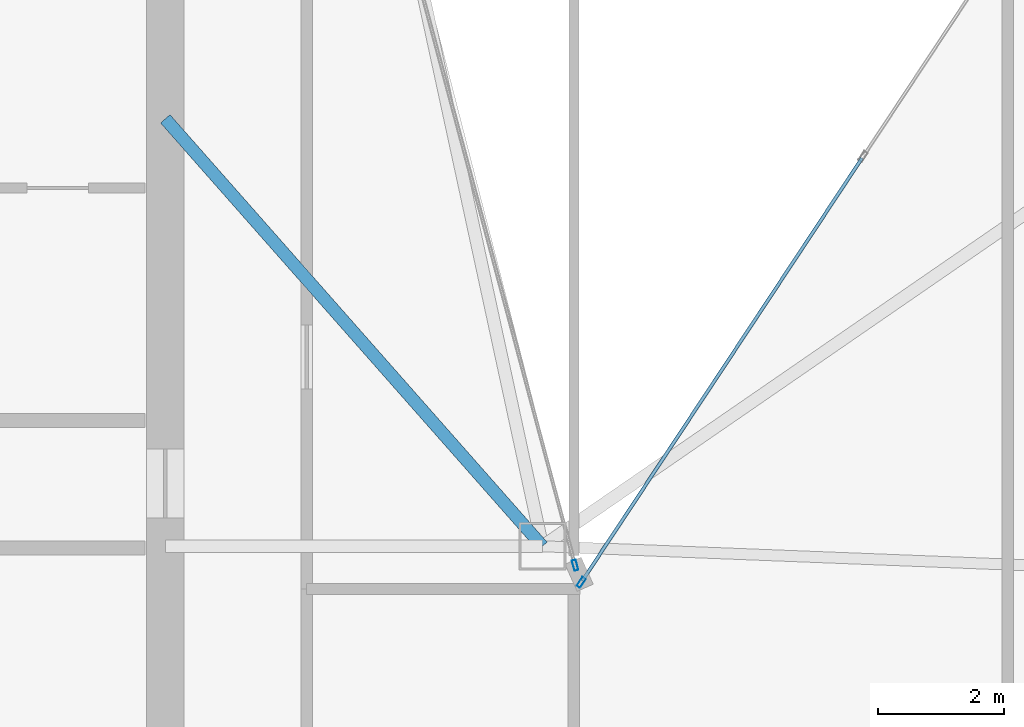
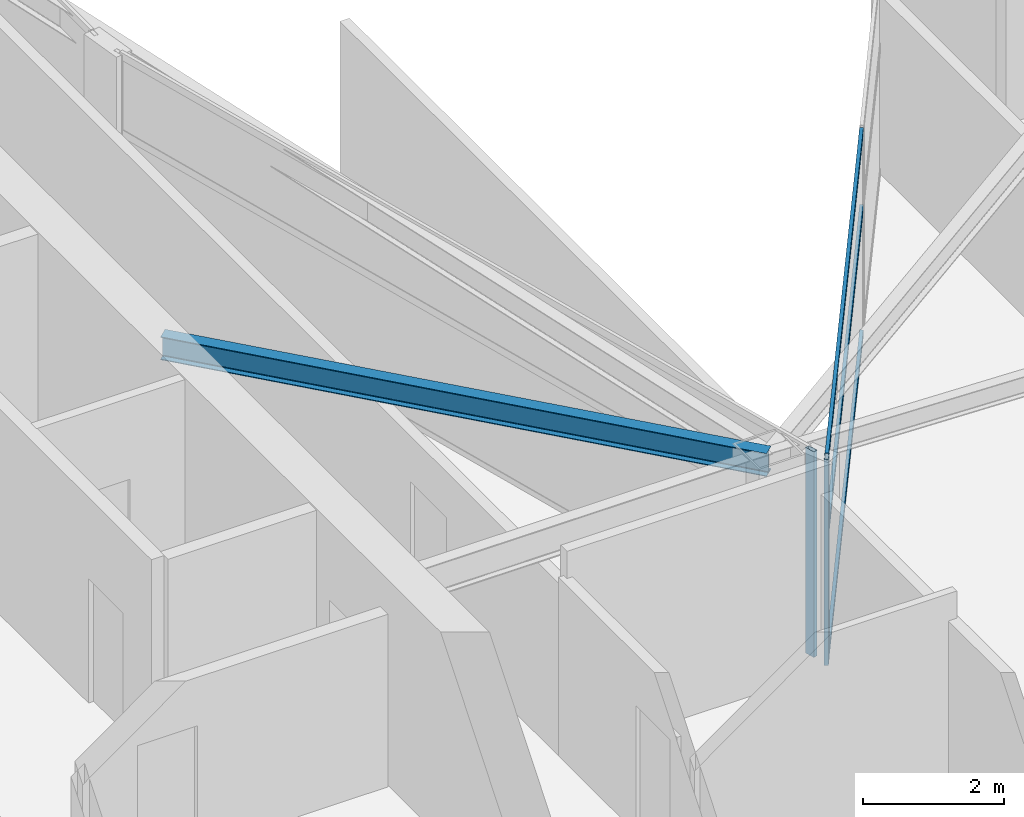
# One storey, part 11 of 28: 5 members, 1 beam, 2 elements without a shape of their own.
"""IFC4 building model written with IfcOpenShell, lengths in metres."""

from ifc_helpers import new_model, si_unit, direction, frame, origin, origin_2d, place, context, subcontext, project, spatial, hollow_rectangle, i_section, extrude, material, layer, layer_set, material_profile, profile_set, type_object, element, aggregate, save


model = new_model("IFC4")

# Units and contexts
model_context = context("Model", 3, precision=1e-05, world=origin(), true_north=direction((0.0, 1.0)))
body_context = subcontext(model_context, "Body", "Model", "MODEL_VIEW")
ifc_project = project(units=[si_unit("LENGTHUNIT", "METRE"), si_unit("AREAUNIT", "SQUARE_METRE"), si_unit("VOLUMEUNIT", "CUBIC_METRE"), si_unit("PLANEANGLEUNIT", "RADIAN"), si_unit("MASSUNIT", "GRAM", prefix="KILO")], contexts=[model_context])

# Site, building, storey
site_placement = place(None, origin())
site = spatial("IfcSite", under=ifc_project, at=site_placement, CompositionType="ELEMENT")
building_placement = place(site_placement, origin())
building = spatial("IfcBuilding", under=site, at=building_placement, Name="Calvorn Quay Hotel", CompositionType="ELEMENT")
storey_placement = place(building_placement, frame((0.0, 0.0, 267.300048828125)))
storey = spatial("IfcBuildingStorey", under=building, at=storey_placement, Name="L66", CompositionType="ELEMENT", Elevation=267.300048828125)

# Beam
ifc_material_1 = material(Name="Steel Q355B", Category="steel")
ifc_material_profile_1 = material_profile(ifc_material_1, i_section(OverallWidth=0.199951171875, OverallDepth=0.39990234375, WebThickness=0.008056640625, FlangeThickness=0.012939453125, FilletRadius=0.01611328125, at=origin_2d()), Name="HN400x200x8x13")
ifc_profile_set_1 = profile_set([ifc_material_profile_1], Name="Steel Q355B")
beam_type = type_object("IfcBeamType", Name="BM-JOIST-TYP", PredefinedType="JOIST", material=ifc_profile_set_1)
beam_placement = place(storey_placement, frame((15.0, 31.800048828125, 3.33984375), z_axis=(0.661618965899, -0.749840212287, 0.0), x_axis=(0.749840212287, 0.661618965899, 0.0)))
element("IfcBeam", 1, at=beam_placement, inside=storey, type_object=beam_type, Name="Beam BJ-L66-C1", PredefinedType="JOIST", context=body_context, shape_type="SweptSolid", body=[
    extrude(i_section(OverallWidth=0.199951171875, OverallDepth=0.39990234375, WebThickness=0.008056640625, FlangeThickness=0.012939453125, FilletRadius=0.01611328125, at=origin_2d()), origin(), (0.0, 0.0, 1.0), 9.068603515625),
])

# Curtain wall, member
ifc_material_2 = material(Name="Champagne Bronze Anodised Aluminium and Low-E Glass", Category="aluminium")
ifc_layer = layer(ifc_material_2, 0.219970703125)
ifc_layer_set = layer_set([ifc_layer], Name="CW-SYS-Z4")
curtain_wall_type = type_object("IfcCurtainWallType", Name="CW-SYS-Z4", PredefinedType="NOTDEFINED", material=ifc_layer_set)
curtain_wall_1_placement = place(storey_placement, origin())
curtain_wall_1 = element("IfcCurtainWall", 2, at=curtain_wall_1_placement, inside=storey, type_object=curtain_wall_type, Name="Inner Court Curtain Wall L66-NE1", PredefinedType="NOTDEFINED")
ifc_material_3 = material(Name="Champagne Bronze Anodised Aluminium 6063-T6", Category="aluminium")
ifc_material_profile_2 = material_profile(ifc_material_3, hollow_rectangle(XDim=0.06494140625, YDim=0.169921875, WallThickness=0.00341796875, at=origin_2d()), Name="ALU-M170x65x3.5")
ifc_profile_set_2 = profile_set([ifc_material_profile_2], Name="Champagne Bronze Anodised Aluminium 6063-T6")
member_type_1 = type_object("IfcMemberType", Name="CW-SYS-Z4-MUL", PredefinedType="MULLION", material=ifc_profile_set_2)
member_1_placement = place(storey_placement, frame((21.616455078125, 24.425048828125, 0.0), z_axis=(0.0, 0.0, 1.0), x_axis=(0.833932205724, -0.551866900852, 0.0)))
member_1 = element("IfcMember", 3, at=member_1_placement, type_object=member_type_1, Name="CW-L66-NE1 mullion 3", PredefinedType="MULLION", context=body_context, shape_type="SweptSolid", body=[
    extrude(hollow_rectangle(XDim=0.06494140625, YDim=0.169921875, WallThickness=0.00341796875, at=origin_2d()), origin(), (0.0, 0.0, 1.0), 3.56005859375),
])

curtain_wall_2_placement = place(storey_placement, origin())
curtain_wall_2 = element("IfcCurtainWall", 4, at=curtain_wall_2_placement, inside=storey, type_object=curtain_wall_type, Name="Inner Court Curtain Wall L66-IC1", PredefinedType="NOTDEFINED")
member_2_placement = place(storey_placement, frame((21.520263671875, 24.698974609375, 0.0), z_axis=(0.0, 0.0, 1.0), x_axis=(-0.96593652056, -0.25877913024, 0.0)))
member_2 = element("IfcMember", 5, at=member_2_placement, type_object=member_type_1, Name="CW-L66-IC1 mullion 1", PredefinedType="MULLION", context=body_context, shape_type="SweptSolid", body=[
    extrude(hollow_rectangle(XDim=0.06494140625, YDim=0.169921875, WallThickness=0.00341796875, at=origin_2d()), origin(), (0.0, 0.0, 1.0), 3.56005859375),
])
aggregate(curtain_wall_2, [member_2])

# Member
ifc_material_4 = material(Name="Champagne Bronze Anodised Aluminium 6063-T6", Category="aluminium")
ifc_material_profile_3 = material_profile(ifc_material_4, hollow_rectangle(XDim=0.054931640625, YDim=0.1298828125, WallThickness=0.003173828125, at=origin_2d()), Name="ALU-T130x55x3.2")
ifc_profile_set_3 = profile_set([ifc_material_profile_3], Name="Champagne Bronze Anodised Aluminium 6063-T6")
member_type_2 = type_object("IfcMemberType", Name="CW-SYS-Z4-TRN", PredefinedType="USERDEFINED", material=ifc_profile_set_3)
member_3_placement = place(storey_placement, frame((26.08349609375, 31.175048828125, 0.030029296875), z_axis=(-0.551867520082, -0.833931795939, 0.0), x_axis=(0.833931795939, -0.551867520082, 0.0)))
member_3 = element("IfcMember", 6, at=member_3_placement, type_object=member_type_2, Name="CW-L66-NE1 transom 2.1", ObjectType="TRANSOM", PredefinedType="USERDEFINED", context=body_context, shape_type="SweptSolid", body=[
    extrude(hollow_rectangle(XDim=0.054931640625, YDim=0.1298828125, WallThickness=0.003173828125, at=origin_2d()), origin(), (0.0, 0.0, 1.0), 8.064208984375),
])

member_4_placement = place(storey_placement, frame((26.08349609375, 31.175048828125, 2.199951171875), z_axis=(-0.551867520082, -0.833931795939, 0.0), x_axis=(0.833931795939, -0.551867520082, 0.0)))
member_4 = element("IfcMember", 7, at=member_4_placement, type_object=member_type_2, Name="CW-L66-NE1 transom 2.2", ObjectType="TRANSOM", PredefinedType="USERDEFINED", context=body_context, shape_type="SweptSolid", body=[
    extrude(hollow_rectangle(XDim=0.054931640625, YDim=0.1298828125, WallThickness=0.003173828125, at=origin_2d()), origin(), (0.0, 0.0, 1.0), 8.064208984375),
])

member_5_placement = place(storey_placement, frame((26.08349609375, 31.175048828125, 3.530029296875), z_axis=(-0.551867520082, -0.833931795939, 0.0), x_axis=(0.833931795939, -0.551867520082, 0.0)))
member_5 = element("IfcMember", 8, at=member_5_placement, type_object=member_type_2, Name="CW-L66-NE1 transom 2.3", ObjectType="TRANSOM", PredefinedType="USERDEFINED", context=body_context, shape_type="SweptSolid", body=[
    extrude(hollow_rectangle(XDim=0.054931640625, YDim=0.1298828125, WallThickness=0.003173828125, at=origin_2d()), origin(), (0.0, 0.0, 1.0), 8.064208984375),
])

aggregate(curtain_wall_1, [member_1, member_3, member_4, member_5])

save(model, "model.ifc")
